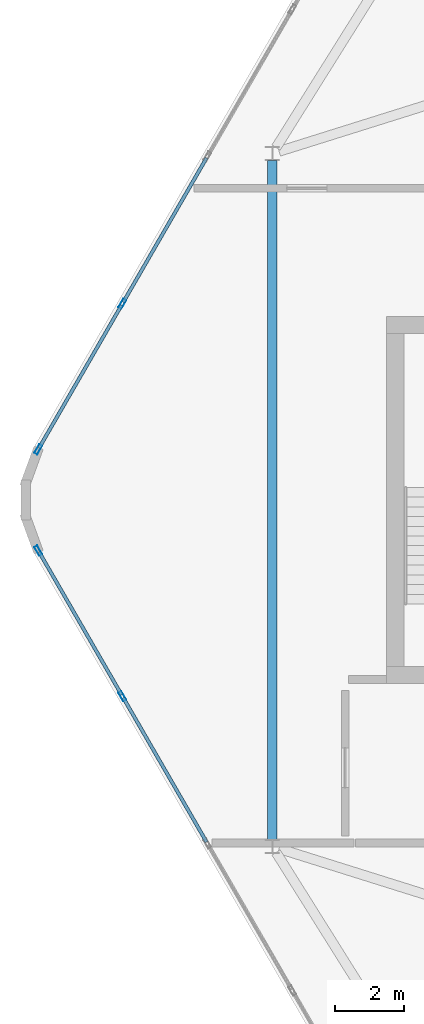
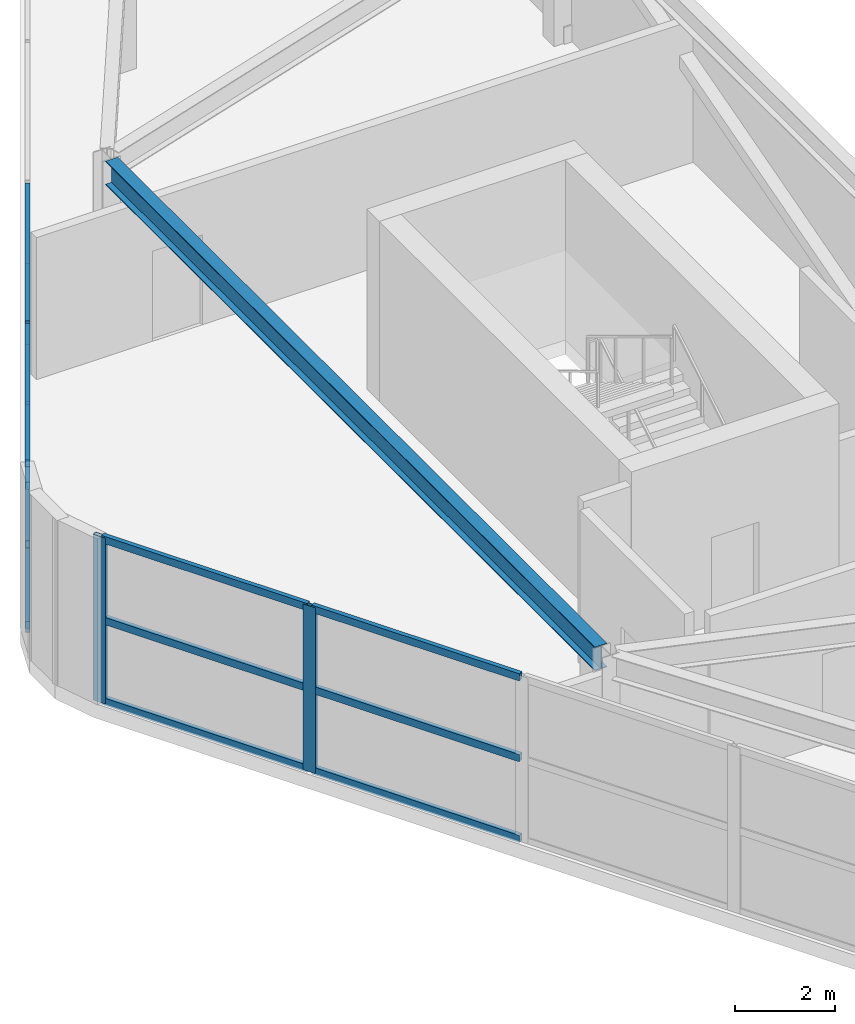
# One storey, part 5 of 16: 16 members, 1 beam, 2 elements without a shape of their own.
"""IFC4 building model written with IfcOpenShell, lengths in metres."""

from ifc_helpers import new_model, si_unit, direction, frame, origin, origin_2d, place, context, subcontext, project, spatial, hollow_rectangle, i_section, extrude, material, material_profile, profile_set, type_object, element, aggregate, save


model = new_model("IFC4")

# Units and contexts
model_context = context("Model", 3, precision=1e-05, world=origin(), true_north=direction((0.0, 1.0)))
body_context = subcontext(model_context, "Body", "Model", "MODEL_VIEW")
ifc_project = project(units=[si_unit("LENGTHUNIT", "METRE"), si_unit("AREAUNIT", "SQUARE_METRE"), si_unit("VOLUMEUNIT", "CUBIC_METRE"), si_unit("PLANEANGLEUNIT", "RADIAN"), si_unit("MASSUNIT", "GRAM", prefix="KILO")], contexts=[model_context])

# Site, building, storey
site_placement = place(None, origin())
site = spatial("IfcSite", under=ifc_project, at=site_placement, CompositionType="ELEMENT")
building_placement = place(site_placement, origin())
building = spatial("IfcBuilding", under=site, at=building_placement, Name="Zuhravey Tower", CompositionType="ELEMENT")
storey_placement = place(building_placement, frame((0.0, 0.0, 370.199951171875)))
storey = spatial("IfcBuildingStorey", under=building, at=storey_placement, Name="L94", CompositionType="ELEMENT", Elevation=370.199951171875)

# Curtain wall, members
ifc_material_1 = material(Name="Thermally broken anodised aluminium", Category="aluminium")
curtain_wall_type = type_object("IfcCurtainWallType", Name="Split-Top Crown Screened Curtain Wall CW6", PredefinedType="NOTDEFINED", material=ifc_material_1)
curtain_wall_1_placement = place(storey_placement, origin())
curtain_wall_1 = element("IfcCurtainWall", 1, at=curtain_wall_1_placement, inside=storey, type_object=curtain_wall_type, Name="L94 CW6 CW6-L94-WEST-04", PredefinedType="NOTDEFINED")
ifc_material_2 = material(Name="Anodised aluminium", Category="aluminium")
ifc_material_profile_1 = material_profile(ifc_material_2, hollow_rectangle(XDim=0.10009765625, YDim=0.2900390625, WallThickness=0.006103515625, at=origin_2d()), Name="ALU-RHS-100x290x6")
ifc_profile_set_1 = profile_set([ifc_material_profile_1], Name="Anodised aluminium")
member_type_1 = type_object("IfcMemberType", Name="Heavy Tall-Storey Mullion 100x220", PredefinedType="MULLION", material=ifc_profile_set_1)
member_1_placement = place(storey_placement, frame((11.471923828125, 26.3359375, 0.0), z_axis=(0.0, 0.0, 1.0), x_axis=(-0.866027063754, -0.499997124838, 0.0)))
member_1 = element("IfcMember", 2, at=member_1_placement, type_object=member_type_1, Name="CW6 mullion 5", PredefinedType="MULLION", context=body_context, shape_type="SweptSolid", body=[
    extrude(hollow_rectangle(XDim=0.10009765625, YDim=0.2900390625, WallThickness=0.006103515625, at=origin_2d()), origin(), (0.0, 0.0, 1.0), 4.050048828125),
])
member_2_placement = place(storey_placement, frame((9.0439453125, 30.541015625, 0.0), z_axis=(0.0, 0.0, 1.0), x_axis=(-0.866027063754, -0.499997124838, 0.0)))
member_2 = element("IfcMember", 3, at=member_2_placement, type_object=member_type_1, Name="CW6 mullion 6", PredefinedType="MULLION", context=body_context, shape_type="SweptSolid", body=[
    extrude(hollow_rectangle(XDim=0.10009765625, YDim=0.2900390625, WallThickness=0.006103515625, at=origin_2d()), origin(), (0.0, 0.0, 1.0), 4.050048828125),
])

curtain_wall_2_placement = place(storey_placement, origin())
curtain_wall_2 = element("IfcCurtainWall", 4, at=curtain_wall_2_placement, inside=storey, type_object=curtain_wall_type, Name="L94 CW6 CW6-L94-WEST-08", PredefinedType="NOTDEFINED")
member_3_placement = place(storey_placement, frame((9.0439453125, 33.458984375, 0.0), z_axis=(0.0, 0.0, 1.0), x_axis=(-0.866027063754, 0.499997124838, 0.0)))
member_3 = element("IfcMember", 5, at=member_3_placement, type_object=member_type_1, Name="CW6 mullion 1", PredefinedType="MULLION", context=body_context, shape_type="SweptSolid", body=[
    extrude(hollow_rectangle(XDim=0.10009765625, YDim=0.2900390625, WallThickness=0.006103515625, at=origin_2d()), origin(), (0.0, 0.0, 1.0), 4.050048828125),
])
member_4_placement = place(storey_placement, frame((11.471923828125, 37.6640625, 0.0), z_axis=(0.0, 0.0, 1.0), x_axis=(-0.866027063754, 0.499997124838, 0.0)))
member_4 = element("IfcMember", 6, at=member_4_placement, type_object=member_type_1, Name="CW6 mullion 2", PredefinedType="MULLION", context=body_context, shape_type="SweptSolid", body=[
    extrude(hollow_rectangle(XDim=0.10009765625, YDim=0.2900390625, WallThickness=0.006103515625, at=origin_2d()), origin(), (0.0, 0.0, 1.0), 4.050048828125),
])

# Beam
ifc_material_3 = material(Name="Steel SM355", Category="steel")
ifc_material_profile_2 = material_profile(ifc_material_3, i_section(OverallWidth=0.280029296875, OverallDepth=0.580078125, WebThickness=0.011962890625, FlangeThickness=0.01904296875, at=origin_2d()), Name="H-580x280x12x19")
ifc_profile_set_2 = profile_set([ifc_material_profile_2], Name="Steel SM355")
beam_type = type_object("IfcBeamType", Name="Perimeter Ring Beam H580x280", PredefinedType="BEAM", material=ifc_profile_set_2)
beam_placement = place(storey_placement, frame((15.800048828125, 22.2041015625, 3.760009765625), z_axis=(0.0, 1.0, 0.0), x_axis=(-1.0, 0.0, 0.0)))
element("IfcBeam", 7, at=beam_placement, inside=storey, type_object=beam_type, Name="L94 PB4 BM-L94-WCR-0-1", PredefinedType="BEAM", context=body_context, shape_type="SweptSolid", body=[
    extrude(i_section(OverallWidth=0.280029296875, OverallDepth=0.580078125, WebThickness=0.011962890625, FlangeThickness=0.01904296875, at=origin_2d()), origin(), (0.0, 0.0, 1.0), 19.591796875),
])

# Member
ifc_material_profile_3 = material_profile(ifc_material_2, hollow_rectangle(XDim=0.10009765625, YDim=0.179931640625, WallThickness=0.006103515625, at=origin_2d()), Name="ALU-RHS-100x180x6")
ifc_profile_set_3 = profile_set([ifc_material_profile_3], Name="Anodised aluminium")
member_type_2 = type_object("IfcMemberType", Name="Tall-Storey Transom 100x180", PredefinedType="USERDEFINED", material=ifc_profile_set_3)
member_5_placement = place(storey_placement, frame((13.89990234375, 22.130615234375, 0.050048828125), z_axis=(-0.50003466983, 0.866005386223, 0.0), x_axis=(-0.866005386223, -0.50003466983, 0.0)))
member_5 = element("IfcMember", 8, at=member_5_placement, type_object=member_type_2, Name="CW6 transom 4.1", ObjectType="TRANSOM", PredefinedType="USERDEFINED", context=body_context, shape_type="SweptSolid", body=[
    extrude(hollow_rectangle(XDim=0.10009765625, YDim=0.179931640625, WallThickness=0.006103515625, at=origin_2d()), origin(), (0.0, 0.0, 1.0), 4.805908203125),
])

member_6_placement = place(storey_placement, frame((13.89990234375, 22.130615234375, 2.025146484375), z_axis=(-0.50003466983, 0.866005386223, 0.0), x_axis=(-0.866005386223, -0.50003466983, 0.0)))
member_6 = element("IfcMember", 9, at=member_6_placement, type_object=member_type_2, Name="CW6 transom 4.2", ObjectType="TRANSOM", PredefinedType="USERDEFINED", context=body_context, shape_type="SweptSolid", body=[
    extrude(hollow_rectangle(XDim=0.10009765625, YDim=0.179931640625, WallThickness=0.006103515625, at=origin_2d()), origin(), (0.0, 0.0, 1.0), 4.805908203125),
])

member_7_placement = place(storey_placement, frame((13.89990234375, 22.130615234375, 4.0), z_axis=(-0.50003466983, 0.866005386223, 0.0), x_axis=(-0.866005386223, -0.50003466983, 0.0)))
member_7 = element("IfcMember", 10, at=member_7_placement, type_object=member_type_2, Name="CW6 transom 4.3", ObjectType="TRANSOM", PredefinedType="USERDEFINED", context=body_context, shape_type="SweptSolid", body=[
    extrude(hollow_rectangle(XDim=0.10009765625, YDim=0.179931640625, WallThickness=0.006103515625, at=origin_2d()), origin(), (0.0, 0.0, 1.0), 4.805908203125),
])

member_8_placement = place(storey_placement, frame((11.447021484375, 26.379150390625, 0.050048828125), z_axis=(-0.500003887042, 0.866023159588, 0.0), x_axis=(-0.866023159588, -0.500003887042, 0.0)))
member_8 = element("IfcMember", 11, at=member_8_placement, type_object=member_type_2, Name="CW6 transom 5.1", ObjectType="TRANSOM", PredefinedType="USERDEFINED", context=body_context, shape_type="SweptSolid", body=[
    extrude(hollow_rectangle(XDim=0.10009765625, YDim=0.179931640625, WallThickness=0.006103515625, at=origin_2d()), origin(), (0.0, 0.0, 1.0), 4.755859375),
])

member_9_placement = place(storey_placement, frame((11.447021484375, 26.379150390625, 2.025146484375), z_axis=(-0.500003887042, 0.866023159588, 0.0), x_axis=(-0.866023159588, -0.500003887042, 0.0)))
member_9 = element("IfcMember", 12, at=member_9_placement, type_object=member_type_2, Name="CW6 transom 5.2", ObjectType="TRANSOM", PredefinedType="USERDEFINED", context=body_context, shape_type="SweptSolid", body=[
    extrude(hollow_rectangle(XDim=0.10009765625, YDim=0.179931640625, WallThickness=0.006103515625, at=origin_2d()), origin(), (0.0, 0.0, 1.0), 4.755859375),
])

member_10_placement = place(storey_placement, frame((11.447021484375, 26.379150390625, 4.0), z_axis=(-0.500003887042, 0.866023159588, 0.0), x_axis=(-0.866023159588, -0.500003887042, 0.0)))
member_10 = element("IfcMember", 13, at=member_10_placement, type_object=member_type_2, Name="CW6 transom 5.3", ObjectType="TRANSOM", PredefinedType="USERDEFINED", context=body_context, shape_type="SweptSolid", body=[
    extrude(hollow_rectangle(XDim=0.10009765625, YDim=0.179931640625, WallThickness=0.006103515625, at=origin_2d()), origin(), (0.0, 0.0, 1.0), 4.755859375),
])

aggregate(curtain_wall_1, [member_1, member_2, member_5, member_6, member_7, member_8, member_9, member_10])

member_11_placement = place(storey_placement, frame((9.069091796875, 33.502197265625, 0.050048828125), z_axis=(0.500003887042, 0.866023159588, 0.0), x_axis=(-0.866023159588, 0.500003887042, 0.0)))
member_11 = element("IfcMember", 14, at=member_11_placement, type_object=member_type_2, Name="CW6 transom 1.1", ObjectType="TRANSOM", PredefinedType="USERDEFINED", context=body_context, shape_type="SweptSolid", body=[
    extrude(hollow_rectangle(XDim=0.10009765625, YDim=0.179931640625, WallThickness=0.006103515625, at=origin_2d()), origin(), (0.0, 0.0, 1.0), 4.755859375),
])

member_12_placement = place(storey_placement, frame((9.069091796875, 33.502197265625, 2.025146484375), z_axis=(0.500003887042, 0.866023159588, 0.0), x_axis=(-0.866023159588, 0.500003887042, 0.0)))
member_12 = element("IfcMember", 15, at=member_12_placement, type_object=member_type_2, Name="CW6 transom 1.2", ObjectType="TRANSOM", PredefinedType="USERDEFINED", context=body_context, shape_type="SweptSolid", body=[
    extrude(hollow_rectangle(XDim=0.10009765625, YDim=0.179931640625, WallThickness=0.006103515625, at=origin_2d()), origin(), (0.0, 0.0, 1.0), 4.755859375),
])

member_13_placement = place(storey_placement, frame((9.069091796875, 33.502197265625, 4.0), z_axis=(0.500003887042, 0.866023159588, 0.0), x_axis=(-0.866023159588, 0.500003887042, 0.0)))
member_13 = element("IfcMember", 16, at=member_13_placement, type_object=member_type_2, Name="CW6 transom 1.3", ObjectType="TRANSOM", PredefinedType="USERDEFINED", context=body_context, shape_type="SweptSolid", body=[
    extrude(hollow_rectangle(XDim=0.10009765625, YDim=0.179931640625, WallThickness=0.006103515625, at=origin_2d()), origin(), (0.0, 0.0, 1.0), 4.755859375),
])

member_14_placement = place(storey_placement, frame((11.496826171875, 37.70751953125, 0.050048828125), z_axis=(0.50003466983, 0.866005386223, 0.0), x_axis=(-0.866005386223, 0.50003466983, 0.0)))
member_14 = element("IfcMember", 17, at=member_14_placement, type_object=member_type_2, Name="CW6 transom 2.1", ObjectType="TRANSOM", PredefinedType="USERDEFINED", context=body_context, shape_type="SweptSolid", body=[
    extrude(hollow_rectangle(XDim=0.10009765625, YDim=0.179931640625, WallThickness=0.006103515625, at=origin_2d()), origin(), (0.0, 0.0, 1.0), 4.805908203125),
])

member_15_placement = place(storey_placement, frame((11.496826171875, 37.70751953125, 2.025146484375), z_axis=(0.50003466983, 0.866005386223, 0.0), x_axis=(-0.866005386223, 0.50003466983, 0.0)))
member_15 = element("IfcMember", 18, at=member_15_placement, type_object=member_type_2, Name="CW6 transom 2.2", ObjectType="TRANSOM", PredefinedType="USERDEFINED", context=body_context, shape_type="SweptSolid", body=[
    extrude(hollow_rectangle(XDim=0.10009765625, YDim=0.179931640625, WallThickness=0.006103515625, at=origin_2d()), origin(), (0.0, 0.0, 1.0), 4.805908203125),
])

member_16_placement = place(storey_placement, frame((11.496826171875, 37.70751953125, 4.0), z_axis=(0.50003466983, 0.866005386223, 0.0), x_axis=(-0.866005386223, 0.50003466983, 0.0)))
member_16 = element("IfcMember", 19, at=member_16_placement, type_object=member_type_2, Name="CW6 transom 2.3", ObjectType="TRANSOM", PredefinedType="USERDEFINED", context=body_context, shape_type="SweptSolid", body=[
    extrude(hollow_rectangle(XDim=0.10009765625, YDim=0.179931640625, WallThickness=0.006103515625, at=origin_2d()), origin(), (0.0, 0.0, 1.0), 4.805908203125),
])

aggregate(curtain_wall_2, [member_3, member_4, member_11, member_12, member_13, member_14, member_15, member_16])

save(model, "model.ifc")
